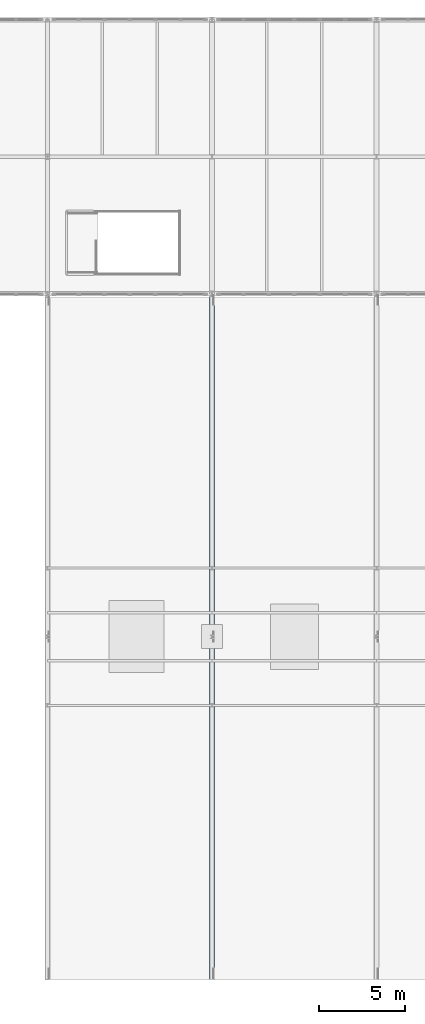
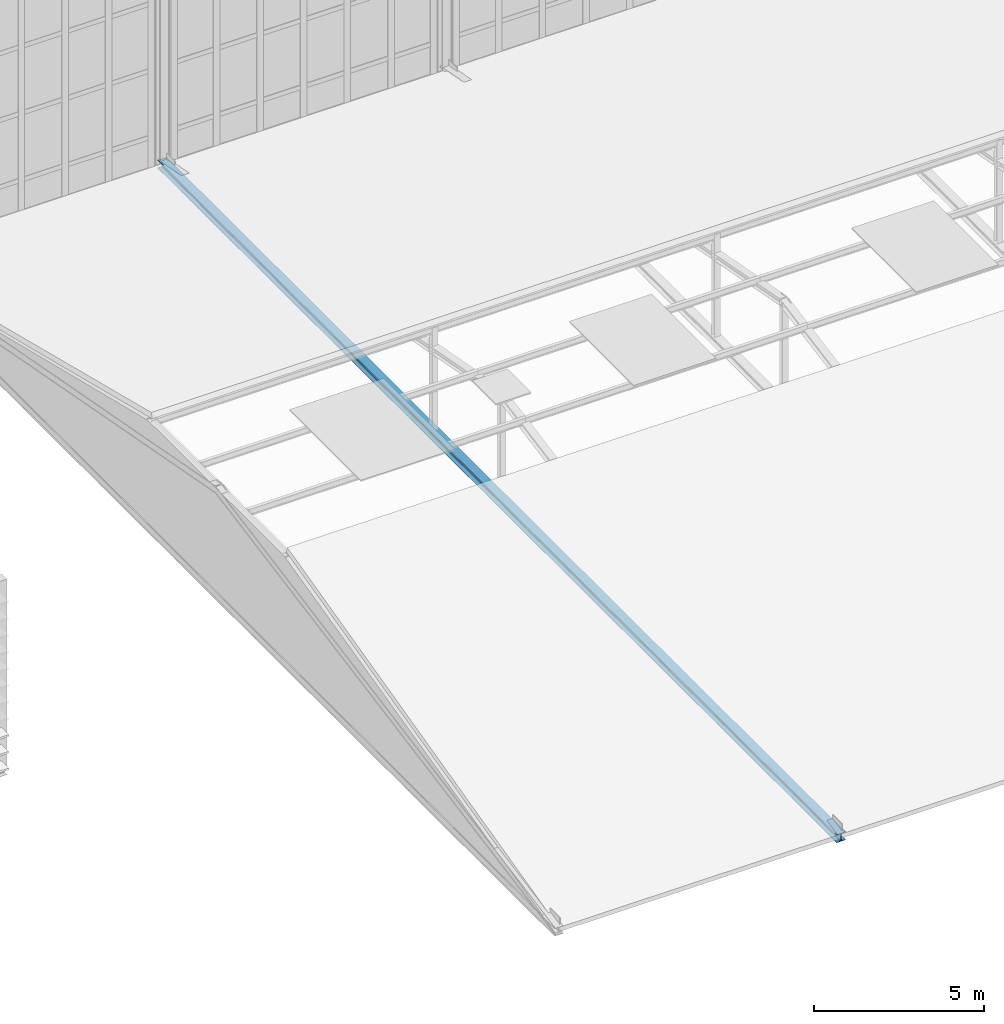
# One storey, part 25 of 73: 1 member.
"""IFC4 building model written with IfcOpenShell, lengths in metres."""

from ifc_helpers import new_model, si_unit, direction, frame, origin, origin_2d, place, context, subcontext, project, spatial, i_section, extrude, material, material_profile, profile_set, type_object, element, save


model = new_model("IFC4")

# Units and contexts
model_context = context("Model", 3, precision=1e-05, world=origin(), true_north=direction((0.0, 1.0)))
body_context = subcontext(model_context, "Body", "Model", "MODEL_VIEW")
ifc_project = project(units=[si_unit("LENGTHUNIT", "METRE"), si_unit("AREAUNIT", "SQUARE_METRE"), si_unit("VOLUMEUNIT", "CUBIC_METRE"), si_unit("PLANEANGLEUNIT", "RADIAN"), si_unit("MASSUNIT", "GRAM", prefix="KILO")], contexts=[model_context])

# Site, building, storey
site_placement = place(None, origin())
site = spatial("IfcSite", under=ifc_project, at=site_placement, CompositionType="ELEMENT")
building_placement = place(site_placement, origin())
building = spatial("IfcBuilding", under=site, at=building_placement, Name="Alderhovde Museum", CompositionType="ELEMENT")
storey_placement = place(building_placement, frame((0.0, 0.0, 17.39990234375)))
storey = spatial("IfcBuildingStorey", under=building, at=storey_placement, Name="L04", CompositionType="ELEMENT", Elevation=17.39990234375)

# Member
ifc_material = material(Name="Steel S355J2", Category="steel")
ifc_material_profile = material_profile(ifc_material, i_section(OverallWidth=0.300048828125, OverallDepth=0.2900390625, WebThickness=0.008544921875, FlangeThickness=0.013916015625, FilletRadius=0.027099609375, at=origin_2d()), Name="HEA 300")
ifc_profile_set = profile_set([ifc_material_profile], Name="Steel S355J2")
member_type = type_object("IfcMemberType", Name="TR-CH-HEA300", PredefinedType="CHORD", material=ifc_profile_set)
member_placement = place(storey_placement, frame((86.39990234375, 32.0, 0.1201171875), z_axis=(0.0, 1.0, 0.0), x_axis=(-1.0, 0.0, 0.0)))
element("IfcMember", 1, at=member_placement, inside=storey, type_object=member_type, Name="Atrium Truss X=86.4 Continuous Tie", PredefinedType="CHORD", context=body_context, shape_type="SweptSolid", body=[
    extrude(i_section(OverallWidth=0.300048828125, OverallDepth=0.2900390625, WebThickness=0.008544921875, FlangeThickness=0.013916015625, FilletRadius=0.027099609375, at=origin_2d()), origin(), (0.0, 0.0, 1.0), 40.0),
])

save(model, "model.ifc")
